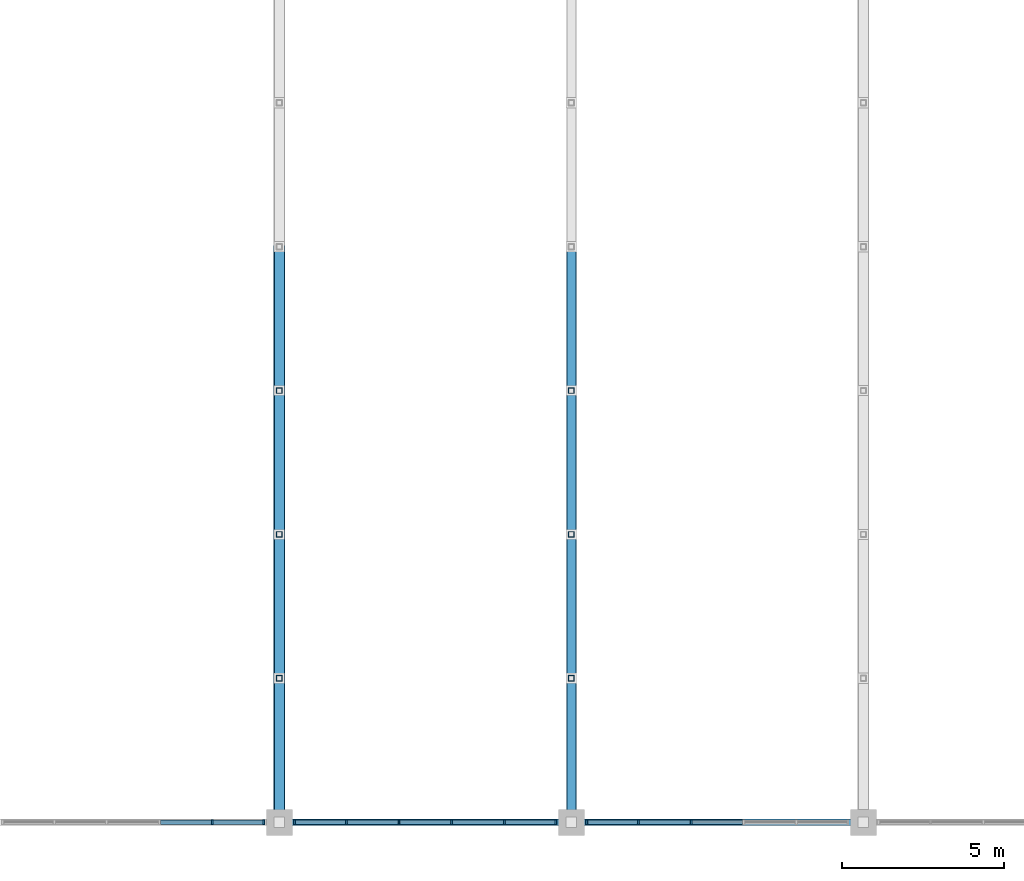
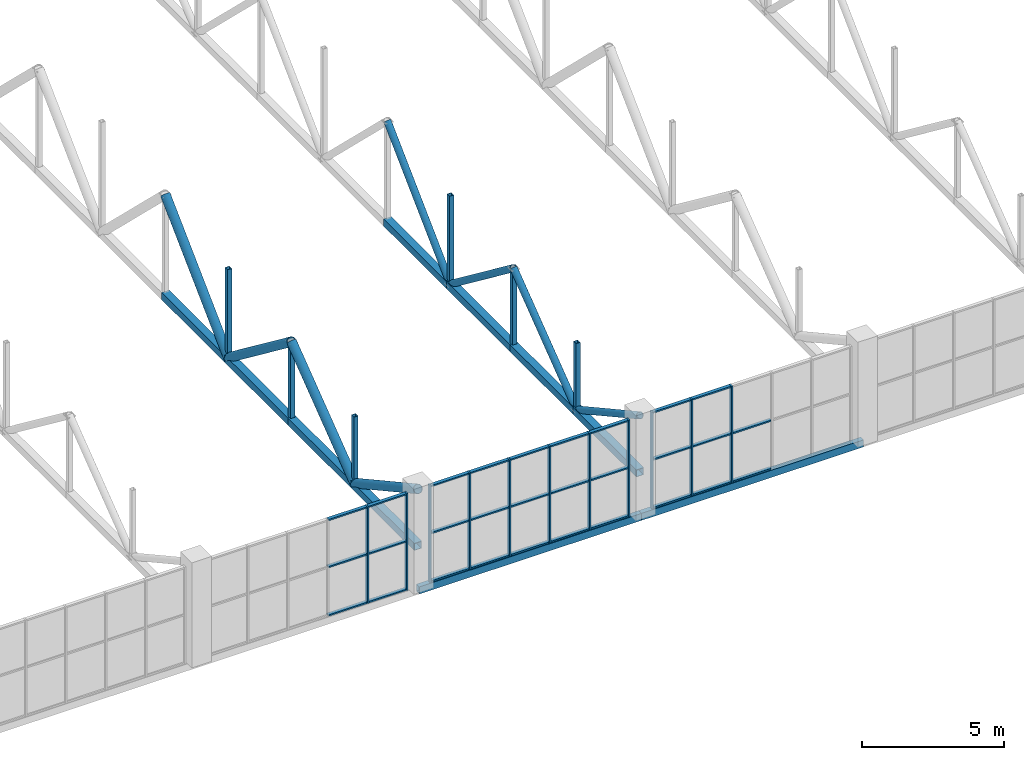
# One storey, part 18 of 103: 62 members, 2 beams, 3 elements without a shape of their own.
"""IFC4 building model written with IfcOpenShell, lengths in metres."""

from ifc_helpers import new_model, si_unit, direction, frame, origin, origin_2d, place, context, subcontext, project, spatial, rectangle, hollow_rectangle, hollow_circle, extrude, material, layer, layer_set, material_profile, profile_set, type_object, element, aggregate, save


model = new_model("IFC4")

# Units and contexts
model_context = context("Model", 3, precision=1e-05, world=origin(), true_north=direction((0.0, 1.0)))
body_context = subcontext(model_context, "Body", "Model", "MODEL_VIEW")
ifc_project = project(units=[si_unit("LENGTHUNIT", "METRE"), si_unit("AREAUNIT", "SQUARE_METRE"), si_unit("VOLUMEUNIT", "CUBIC_METRE"), si_unit("PLANEANGLEUNIT", "RADIAN"), si_unit("MASSUNIT", "GRAM", prefix="KILO")], contexts=[model_context])

# Site, building, storey
site_placement = place(None, origin())
site = spatial("IfcSite", under=ifc_project, at=site_placement, CompositionType="ELEMENT")
building_placement = place(site_placement, origin())
building = spatial("IfcBuilding", under=site, at=building_placement, Name="Cazmaro Siding Exhibition Halls", CompositionType="ELEMENT")
storey_placement = place(building_placement, frame((0.0, 0.0, 16.5)))
storey = spatial("IfcBuildingStorey", under=building, at=storey_placement, Name="L03", CompositionType="ELEMENT", Elevation=16.5)

# Curtain wall, members
ifc_material_1 = material(Name="Anodized Bronze Aluminum and Solar-Control Low-E Glazing", Category="aluminium")
ifc_layer = layer(ifc_material_1, 0.159912109375)
ifc_layer_set = layer_set([ifc_layer], Name="Anodized Bronze Aluminum and Solar-Control Low-E Glazing")
curtain_wall_type = type_object("IfcCurtainWallType", Name="CWS-04", PredefinedType="USERDEFINED", material=ifc_layer_set)
curtain_wall_1_placement = place(storey_placement, origin())
curtain_wall_1 = element("IfcCurtainWall", 1, at=curtain_wall_1_placement, inside=storey, type_object=curtain_wall_type, Name="Clerestory Curtain Wall CWS-04 CW-084", ObjectType="CLERESTORY CURTAIN WALL", PredefinedType="USERDEFINED")
ifc_material_2 = material(Name="Anodized Bronze Extruded Aluminum", Category="aluminium")
ifc_material_profile_1 = material_profile(ifc_material_2, rectangle(XDim=0.159912109375, YDim=0.06005859375, at=origin_2d()), Name="CWM-04")
ifc_profile_set_1 = profile_set([ifc_material_profile_1], Name="Anodized Bronze Extruded Aluminum")
member_type_1 = type_object("IfcMemberType", Name="CWM-04", PredefinedType="MULLION", material=ifc_profile_set_1)
member_1_placement = place(storey_placement, frame((96.93310546875, 9.25, 0.0), z_axis=(0.0, 0.0, 1.0), x_axis=(0.0, 1.0, 0.0)))
member_1 = element("IfcMember", 2, at=member_1_placement, type_object=member_type_1, Name="CWS-04 mullion 5", PredefinedType="MULLION", context=body_context, shape_type="SweptSolid", body=[
    extrude(rectangle(XDim=0.159912109375, YDim=0.06005859375, at=origin_2d()), origin(), (0.0, 0.0, 1.0), 4.14990234375),
])
member_2_placement = place(storey_placement, frame((98.52490234375, 9.25, 0.0), z_axis=(0.0, 0.0, 1.0), x_axis=(0.0, 1.0, 0.0)))
member_2 = element("IfcMember", 3, at=member_2_placement, type_object=member_type_1, Name="CWS-04 mullion 6", PredefinedType="MULLION", context=body_context, shape_type="SweptSolid", body=[
    extrude(rectangle(XDim=0.159912109375, YDim=0.06005859375, at=origin_2d()), origin(), (0.0, 0.0, 1.0), 4.14990234375),
])

curtain_wall_2_placement = place(storey_placement, origin())
curtain_wall_2 = element("IfcCurtainWall", 4, at=curtain_wall_2_placement, inside=storey, type_object=curtain_wall_type, Name="Clerestory Curtain Wall CWS-04 CW-086", ObjectType="CLERESTORY CURTAIN WALL", PredefinedType="USERDEFINED")
member_3_placement = place(storey_placement, frame((99.47509765625, 9.25, 0.0), z_axis=(0.0, 0.0, 1.0), x_axis=(0.0, 1.0, 0.0)))
member_3 = element("IfcMember", 5, at=member_3_placement, type_object=member_type_1, Name="CWS-04 mullion 1", PredefinedType="MULLION", context=body_context, shape_type="SweptSolid", body=[
    extrude(rectangle(XDim=0.159912109375, YDim=0.06005859375, at=origin_2d()), origin(), (0.0, 0.0, 1.0), 4.14990234375),
])
member_4_placement = place(storey_placement, frame((101.06689453125, 9.25, 0.0), z_axis=(0.0, 0.0, 1.0), x_axis=(0.0, 1.0, 0.0)))
member_4 = element("IfcMember", 6, at=member_4_placement, type_object=member_type_1, Name="CWS-04 mullion 2", PredefinedType="MULLION", context=body_context, shape_type="SweptSolid", body=[
    extrude(rectangle(XDim=0.159912109375, YDim=0.06005859375, at=origin_2d()), origin(), (0.0, 0.0, 1.0), 4.14990234375),
])
member_5_placement = place(storey_placement, frame((102.68896484375, 9.25, 0.0), z_axis=(0.0, 0.0, 1.0), x_axis=(0.0, 1.0, 0.0)))
member_5 = element("IfcMember", 7, at=member_5_placement, type_object=member_type_1, Name="CWS-04 mullion 3", PredefinedType="MULLION", context=body_context, shape_type="SweptSolid", body=[
    extrude(rectangle(XDim=0.159912109375, YDim=0.06005859375, at=origin_2d()), origin(), (0.0, 0.0, 1.0), 4.14990234375),
])
member_6_placement = place(storey_placement, frame((104.31103515625, 9.25, 0.0), z_axis=(0.0, 0.0, 1.0), x_axis=(0.0, 1.0, 0.0)))
member_6 = element("IfcMember", 8, at=member_6_placement, type_object=member_type_1, Name="CWS-04 mullion 4", PredefinedType="MULLION", context=body_context, shape_type="SweptSolid", body=[
    extrude(rectangle(XDim=0.159912109375, YDim=0.06005859375, at=origin_2d()), origin(), (0.0, 0.0, 1.0), 4.14990234375),
])
member_7_placement = place(storey_placement, frame((105.93310546875, 9.25, 0.0), z_axis=(0.0, 0.0, 1.0), x_axis=(0.0, 1.0, 0.0)))
member_7 = element("IfcMember", 9, at=member_7_placement, type_object=member_type_1, Name="CWS-04 mullion 5", PredefinedType="MULLION", context=body_context, shape_type="SweptSolid", body=[
    extrude(rectangle(XDim=0.159912109375, YDim=0.06005859375, at=origin_2d()), origin(), (0.0, 0.0, 1.0), 4.14990234375),
])
member_8_placement = place(storey_placement, frame((107.52490234375, 9.25, 0.0), z_axis=(0.0, 0.0, 1.0), x_axis=(0.0, 1.0, 0.0)))
member_8 = element("IfcMember", 10, at=member_8_placement, type_object=member_type_1, Name="CWS-04 mullion 6", PredefinedType="MULLION", context=body_context, shape_type="SweptSolid", body=[
    extrude(rectangle(XDim=0.159912109375, YDim=0.06005859375, at=origin_2d()), origin(), (0.0, 0.0, 1.0), 4.14990234375),
])

curtain_wall_3_placement = place(storey_placement, origin())
curtain_wall_3 = element("IfcCurtainWall", 11, at=curtain_wall_3_placement, inside=storey, type_object=curtain_wall_type, Name="Clerestory Curtain Wall CWS-04 CW-088", ObjectType="CLERESTORY CURTAIN WALL", PredefinedType="USERDEFINED")
member_9_placement = place(storey_placement, frame((108.47509765625, 9.25, 0.0), z_axis=(0.0, 0.0, 1.0), x_axis=(0.0, 1.0, 0.0)))
member_9 = element("IfcMember", 12, at=member_9_placement, type_object=member_type_1, Name="CWS-04 mullion 1", PredefinedType="MULLION", context=body_context, shape_type="SweptSolid", body=[
    extrude(rectangle(XDim=0.159912109375, YDim=0.06005859375, at=origin_2d()), origin(), (0.0, 0.0, 1.0), 4.14990234375),
])
member_10_placement = place(storey_placement, frame((110.06689453125, 9.25, 0.0), z_axis=(0.0, 0.0, 1.0), x_axis=(0.0, 1.0, 0.0)))
member_10 = element("IfcMember", 13, at=member_10_placement, type_object=member_type_1, Name="CWS-04 mullion 2", PredefinedType="MULLION", context=body_context, shape_type="SweptSolid", body=[
    extrude(rectangle(XDim=0.159912109375, YDim=0.06005859375, at=origin_2d()), origin(), (0.0, 0.0, 1.0), 4.14990234375),
])
member_11_placement = place(storey_placement, frame((111.68896484375, 9.25, 0.0), z_axis=(0.0, 0.0, 1.0), x_axis=(0.0, 1.0, 0.0)))
member_11 = element("IfcMember", 14, at=member_11_placement, type_object=member_type_1, Name="CWS-04 mullion 3", PredefinedType="MULLION", context=body_context, shape_type="SweptSolid", body=[
    extrude(rectangle(XDim=0.159912109375, YDim=0.06005859375, at=origin_2d()), origin(), (0.0, 0.0, 1.0), 4.14990234375),
])

# Member
ifc_material_3 = material(Name="Anodized Bronze Extruded Aluminum", Category="aluminium")
ifc_material_profile_2 = material_profile(ifc_material_3, rectangle(XDim=0.139892578125, YDim=0.06005859375, at=origin_2d()), Name="CWT-04")
ifc_profile_set_2 = profile_set([ifc_material_profile_2], Name="Anodized Bronze Extruded Aluminum")
member_type_2 = type_object("IfcMemberType", Name="CWT-04", PredefinedType="MULLION", material=ifc_profile_set_2)
member_12_placement = place(storey_placement, frame((95.341064453125, 9.25, 0.030029296875), z_axis=(1.0, 0.0, 0.0), x_axis=(0.0, 1.0, 0.0)))
member_12 = element("IfcMember", 15, at=member_12_placement, type_object=member_type_2, Name="CWS-04 transom 4.1", ObjectType="TRANSOM", PredefinedType="USERDEFINED", context=body_context, shape_type="SweptSolid", body=[
    extrude(rectangle(XDim=0.139892578125, YDim=0.06005859375, at=origin_2d()), origin(), (0.0, 0.0, 1.0), 1.56201171875),
])

member_13_placement = place(storey_placement, frame((95.341064453125, 9.25, 2.10009765625), z_axis=(1.0, 0.0, 0.0), x_axis=(0.0, 1.0, 0.0)))
member_13 = element("IfcMember", 16, at=member_13_placement, type_object=member_type_2, Name="CWS-04 transom 4.2", ObjectType="TRANSOM", PredefinedType="USERDEFINED", context=body_context, shape_type="SweptSolid", body=[
    extrude(rectangle(XDim=0.139892578125, YDim=0.06005859375, at=origin_2d()), origin(), (0.0, 0.0, 1.0), 1.56201171875),
])

member_14_placement = place(storey_placement, frame((95.341064453125, 9.25, 4.1201171875), z_axis=(1.0, 0.0, 0.0), x_axis=(0.0, 1.0, 0.0)))
member_14 = element("IfcMember", 17, at=member_14_placement, type_object=member_type_2, Name="CWS-04 transom 4.3", ObjectType="TRANSOM", PredefinedType="USERDEFINED", context=body_context, shape_type="SweptSolid", body=[
    extrude(rectangle(XDim=0.139892578125, YDim=0.06005859375, at=origin_2d()), origin(), (0.0, 0.0, 1.0), 1.56201171875),
])

member_15_placement = place(storey_placement, frame((96.962890625, 9.25, 0.030029296875), z_axis=(1.0, 0.0, 0.0), x_axis=(0.0, 1.0, 0.0)))
member_15 = element("IfcMember", 18, at=member_15_placement, type_object=member_type_2, Name="CWS-04 transom 5.1", ObjectType="TRANSOM", PredefinedType="USERDEFINED", context=body_context, shape_type="SweptSolid", body=[
    extrude(rectangle(XDim=0.139892578125, YDim=0.06005859375, at=origin_2d()), origin(), (0.0, 0.0, 1.0), 1.5322265625),
])

member_16_placement = place(storey_placement, frame((96.962890625, 9.25, 2.10009765625), z_axis=(1.0, 0.0, 0.0), x_axis=(0.0, 1.0, 0.0)))
member_16 = element("IfcMember", 19, at=member_16_placement, type_object=member_type_2, Name="CWS-04 transom 5.2", ObjectType="TRANSOM", PredefinedType="USERDEFINED", context=body_context, shape_type="SweptSolid", body=[
    extrude(rectangle(XDim=0.139892578125, YDim=0.06005859375, at=origin_2d()), origin(), (0.0, 0.0, 1.0), 1.5322265625),
])

member_17_placement = place(storey_placement, frame((96.962890625, 9.25, 4.1201171875), z_axis=(1.0, 0.0, 0.0), x_axis=(0.0, 1.0, 0.0)))
member_17 = element("IfcMember", 20, at=member_17_placement, type_object=member_type_2, Name="CWS-04 transom 5.3", ObjectType="TRANSOM", PredefinedType="USERDEFINED", context=body_context, shape_type="SweptSolid", body=[
    extrude(rectangle(XDim=0.139892578125, YDim=0.06005859375, at=origin_2d()), origin(), (0.0, 0.0, 1.0), 1.5322265625),
])

aggregate(curtain_wall_1, [member_1, member_2, member_12, member_13, member_14, member_15, member_16, member_17])

member_18_placement = place(storey_placement, frame((99.5048828125, 9.25, 0.030029296875), z_axis=(1.0, 0.0, 0.0), x_axis=(0.0, 1.0, 0.0)))
member_18 = element("IfcMember", 21, at=member_18_placement, type_object=member_type_2, Name="CWS-04 transom 1.1", ObjectType="TRANSOM", PredefinedType="USERDEFINED", context=body_context, shape_type="SweptSolid", body=[
    extrude(rectangle(XDim=0.139892578125, YDim=0.06005859375, at=origin_2d()), origin(), (0.0, 0.0, 1.0), 1.5322265625),
])

member_19_placement = place(storey_placement, frame((99.5048828125, 9.25, 2.10009765625), z_axis=(1.0, 0.0, 0.0), x_axis=(0.0, 1.0, 0.0)))
member_19 = element("IfcMember", 22, at=member_19_placement, type_object=member_type_2, Name="CWS-04 transom 1.2", ObjectType="TRANSOM", PredefinedType="USERDEFINED", context=body_context, shape_type="SweptSolid", body=[
    extrude(rectangle(XDim=0.139892578125, YDim=0.06005859375, at=origin_2d()), origin(), (0.0, 0.0, 1.0), 1.5322265625),
])

member_20_placement = place(storey_placement, frame((99.5048828125, 9.25, 4.1201171875), z_axis=(1.0, 0.0, 0.0), x_axis=(0.0, 1.0, 0.0)))
member_20 = element("IfcMember", 23, at=member_20_placement, type_object=member_type_2, Name="CWS-04 transom 1.3", ObjectType="TRANSOM", PredefinedType="USERDEFINED", context=body_context, shape_type="SweptSolid", body=[
    extrude(rectangle(XDim=0.139892578125, YDim=0.06005859375, at=origin_2d()), origin(), (0.0, 0.0, 1.0), 1.5322265625),
])

member_21_placement = place(storey_placement, frame((101.096923828125, 9.25, 0.030029296875), z_axis=(1.0, 0.0, 0.0), x_axis=(0.0, 1.0, 0.0)))
member_21 = element("IfcMember", 24, at=member_21_placement, type_object=member_type_2, Name="CWS-04 transom 2.1", ObjectType="TRANSOM", PredefinedType="USERDEFINED", context=body_context, shape_type="SweptSolid", body=[
    extrude(rectangle(XDim=0.139892578125, YDim=0.06005859375, at=origin_2d()), origin(), (0.0, 0.0, 1.0), 1.56201171875),
])

member_22_placement = place(storey_placement, frame((101.096923828125, 9.25, 2.10009765625), z_axis=(1.0, 0.0, 0.0), x_axis=(0.0, 1.0, 0.0)))
member_22 = element("IfcMember", 25, at=member_22_placement, type_object=member_type_2, Name="CWS-04 transom 2.2", ObjectType="TRANSOM", PredefinedType="USERDEFINED", context=body_context, shape_type="SweptSolid", body=[
    extrude(rectangle(XDim=0.139892578125, YDim=0.06005859375, at=origin_2d()), origin(), (0.0, 0.0, 1.0), 1.56201171875),
])

member_23_placement = place(storey_placement, frame((101.096923828125, 9.25, 4.1201171875), z_axis=(1.0, 0.0, 0.0), x_axis=(0.0, 1.0, 0.0)))
member_23 = element("IfcMember", 26, at=member_23_placement, type_object=member_type_2, Name="CWS-04 transom 2.3", ObjectType="TRANSOM", PredefinedType="USERDEFINED", context=body_context, shape_type="SweptSolid", body=[
    extrude(rectangle(XDim=0.139892578125, YDim=0.06005859375, at=origin_2d()), origin(), (0.0, 0.0, 1.0), 1.56201171875),
])

member_24_placement = place(storey_placement, frame((102.718994140625, 9.25, 0.030029296875), z_axis=(1.0, 0.0, 0.0), x_axis=(0.0, 1.0, 0.0)))
member_24 = element("IfcMember", 27, at=member_24_placement, type_object=member_type_2, Name="CWS-04 transom 3.1", ObjectType="TRANSOM", PredefinedType="USERDEFINED", context=body_context, shape_type="SweptSolid", body=[
    extrude(rectangle(XDim=0.139892578125, YDim=0.06005859375, at=origin_2d()), origin(), (0.0, 0.0, 1.0), 1.56201171875),
])

member_25_placement = place(storey_placement, frame((102.718994140625, 9.25, 2.10009765625), z_axis=(1.0, 0.0, 0.0), x_axis=(0.0, 1.0, 0.0)))
member_25 = element("IfcMember", 28, at=member_25_placement, type_object=member_type_2, Name="CWS-04 transom 3.2", ObjectType="TRANSOM", PredefinedType="USERDEFINED", context=body_context, shape_type="SweptSolid", body=[
    extrude(rectangle(XDim=0.139892578125, YDim=0.06005859375, at=origin_2d()), origin(), (0.0, 0.0, 1.0), 1.56201171875),
])

member_26_placement = place(storey_placement, frame((102.718994140625, 9.25, 4.1201171875), z_axis=(1.0, 0.0, 0.0), x_axis=(0.0, 1.0, 0.0)))
member_26 = element("IfcMember", 29, at=member_26_placement, type_object=member_type_2, Name="CWS-04 transom 3.3", ObjectType="TRANSOM", PredefinedType="USERDEFINED", context=body_context, shape_type="SweptSolid", body=[
    extrude(rectangle(XDim=0.139892578125, YDim=0.06005859375, at=origin_2d()), origin(), (0.0, 0.0, 1.0), 1.56201171875),
])

member_27_placement = place(storey_placement, frame((104.341064453125, 9.25, 0.030029296875), z_axis=(1.0, 0.0, 0.0), x_axis=(0.0, 1.0, 0.0)))
member_27 = element("IfcMember", 30, at=member_27_placement, type_object=member_type_2, Name="CWS-04 transom 4.1", ObjectType="TRANSOM", PredefinedType="USERDEFINED", context=body_context, shape_type="SweptSolid", body=[
    extrude(rectangle(XDim=0.139892578125, YDim=0.06005859375, at=origin_2d()), origin(), (0.0, 0.0, 1.0), 1.56201171875),
])

member_28_placement = place(storey_placement, frame((104.341064453125, 9.25, 2.10009765625), z_axis=(1.0, 0.0, 0.0), x_axis=(0.0, 1.0, 0.0)))
member_28 = element("IfcMember", 31, at=member_28_placement, type_object=member_type_2, Name="CWS-04 transom 4.2", ObjectType="TRANSOM", PredefinedType="USERDEFINED", context=body_context, shape_type="SweptSolid", body=[
    extrude(rectangle(XDim=0.139892578125, YDim=0.06005859375, at=origin_2d()), origin(), (0.0, 0.0, 1.0), 1.56201171875),
])

member_29_placement = place(storey_placement, frame((104.341064453125, 9.25, 4.1201171875), z_axis=(1.0, 0.0, 0.0), x_axis=(0.0, 1.0, 0.0)))
member_29 = element("IfcMember", 32, at=member_29_placement, type_object=member_type_2, Name="CWS-04 transom 4.3", ObjectType="TRANSOM", PredefinedType="USERDEFINED", context=body_context, shape_type="SweptSolid", body=[
    extrude(rectangle(XDim=0.139892578125, YDim=0.06005859375, at=origin_2d()), origin(), (0.0, 0.0, 1.0), 1.56201171875),
])

member_30_placement = place(storey_placement, frame((105.962890625, 9.25, 0.030029296875), z_axis=(1.0, 0.0, 0.0), x_axis=(0.0, 1.0, 0.0)))
member_30 = element("IfcMember", 33, at=member_30_placement, type_object=member_type_2, Name="CWS-04 transom 5.1", ObjectType="TRANSOM", PredefinedType="USERDEFINED", context=body_context, shape_type="SweptSolid", body=[
    extrude(rectangle(XDim=0.139892578125, YDim=0.06005859375, at=origin_2d()), origin(), (0.0, 0.0, 1.0), 1.5322265625),
])

member_31_placement = place(storey_placement, frame((105.962890625, 9.25, 2.10009765625), z_axis=(1.0, 0.0, 0.0), x_axis=(0.0, 1.0, 0.0)))
member_31 = element("IfcMember", 34, at=member_31_placement, type_object=member_type_2, Name="CWS-04 transom 5.2", ObjectType="TRANSOM", PredefinedType="USERDEFINED", context=body_context, shape_type="SweptSolid", body=[
    extrude(rectangle(XDim=0.139892578125, YDim=0.06005859375, at=origin_2d()), origin(), (0.0, 0.0, 1.0), 1.5322265625),
])

member_32_placement = place(storey_placement, frame((105.962890625, 9.25, 4.1201171875), z_axis=(1.0, 0.0, 0.0), x_axis=(0.0, 1.0, 0.0)))
member_32 = element("IfcMember", 35, at=member_32_placement, type_object=member_type_2, Name="CWS-04 transom 5.3", ObjectType="TRANSOM", PredefinedType="USERDEFINED", context=body_context, shape_type="SweptSolid", body=[
    extrude(rectangle(XDim=0.139892578125, YDim=0.06005859375, at=origin_2d()), origin(), (0.0, 0.0, 1.0), 1.5322265625),
])

aggregate(curtain_wall_2, [member_3, member_4, member_5, member_6, member_7, member_8, member_18, member_19, member_20, member_21, member_22, member_23, member_24, member_25, member_26, member_27, member_28, member_29, member_30, member_31, member_32])

member_33_placement = place(storey_placement, frame((108.5048828125, 9.25, 0.030029296875), z_axis=(1.0, 0.0, 0.0), x_axis=(0.0, 1.0, 0.0)))
member_33 = element("IfcMember", 36, at=member_33_placement, type_object=member_type_2, Name="CWS-04 transom 1.1", ObjectType="TRANSOM", PredefinedType="USERDEFINED", context=body_context, shape_type="SweptSolid", body=[
    extrude(rectangle(XDim=0.139892578125, YDim=0.06005859375, at=origin_2d()), origin(), (0.0, 0.0, 1.0), 1.5322265625),
])

member_34_placement = place(storey_placement, frame((108.5048828125, 9.25, 2.10009765625), z_axis=(1.0, 0.0, 0.0), x_axis=(0.0, 1.0, 0.0)))
member_34 = element("IfcMember", 37, at=member_34_placement, type_object=member_type_2, Name="CWS-04 transom 1.2", ObjectType="TRANSOM", PredefinedType="USERDEFINED", context=body_context, shape_type="SweptSolid", body=[
    extrude(rectangle(XDim=0.139892578125, YDim=0.06005859375, at=origin_2d()), origin(), (0.0, 0.0, 1.0), 1.5322265625),
])

member_35_placement = place(storey_placement, frame((108.5048828125, 9.25, 4.1201171875), z_axis=(1.0, 0.0, 0.0), x_axis=(0.0, 1.0, 0.0)))
member_35 = element("IfcMember", 38, at=member_35_placement, type_object=member_type_2, Name="CWS-04 transom 1.3", ObjectType="TRANSOM", PredefinedType="USERDEFINED", context=body_context, shape_type="SweptSolid", body=[
    extrude(rectangle(XDim=0.139892578125, YDim=0.06005859375, at=origin_2d()), origin(), (0.0, 0.0, 1.0), 1.5322265625),
])

member_36_placement = place(storey_placement, frame((110.096923828125, 9.25, 0.030029296875), z_axis=(1.0, 0.0, 0.0), x_axis=(0.0, 1.0, 0.0)))
member_36 = element("IfcMember", 39, at=member_36_placement, type_object=member_type_2, Name="CWS-04 transom 2.1", ObjectType="TRANSOM", PredefinedType="USERDEFINED", context=body_context, shape_type="SweptSolid", body=[
    extrude(rectangle(XDim=0.139892578125, YDim=0.06005859375, at=origin_2d()), origin(), (0.0, 0.0, 1.0), 1.56201171875),
])

member_37_placement = place(storey_placement, frame((110.096923828125, 9.25, 2.10009765625), z_axis=(1.0, 0.0, 0.0), x_axis=(0.0, 1.0, 0.0)))
member_37 = element("IfcMember", 40, at=member_37_placement, type_object=member_type_2, Name="CWS-04 transom 2.2", ObjectType="TRANSOM", PredefinedType="USERDEFINED", context=body_context, shape_type="SweptSolid", body=[
    extrude(rectangle(XDim=0.139892578125, YDim=0.06005859375, at=origin_2d()), origin(), (0.0, 0.0, 1.0), 1.56201171875),
])

member_38_placement = place(storey_placement, frame((110.096923828125, 9.25, 4.1201171875), z_axis=(1.0, 0.0, 0.0), x_axis=(0.0, 1.0, 0.0)))
member_38 = element("IfcMember", 41, at=member_38_placement, type_object=member_type_2, Name="CWS-04 transom 2.3", ObjectType="TRANSOM", PredefinedType="USERDEFINED", context=body_context, shape_type="SweptSolid", body=[
    extrude(rectangle(XDim=0.139892578125, YDim=0.06005859375, at=origin_2d()), origin(), (0.0, 0.0, 1.0), 1.56201171875),
])

member_39_placement = place(storey_placement, frame((111.718994140625, 9.25, 0.030029296875), z_axis=(1.0, 0.0, 0.0), x_axis=(0.0, 1.0, 0.0)))
member_39 = element("IfcMember", 42, at=member_39_placement, type_object=member_type_2, Name="CWS-04 transom 3.1", ObjectType="TRANSOM", PredefinedType="USERDEFINED", context=body_context, shape_type="SweptSolid", body=[
    extrude(rectangle(XDim=0.139892578125, YDim=0.06005859375, at=origin_2d()), origin(), (0.0, 0.0, 1.0), 1.56201171875),
])

member_40_placement = place(storey_placement, frame((111.718994140625, 9.25, 2.10009765625), z_axis=(1.0, 0.0, 0.0), x_axis=(0.0, 1.0, 0.0)))
member_40 = element("IfcMember", 43, at=member_40_placement, type_object=member_type_2, Name="CWS-04 transom 3.2", ObjectType="TRANSOM", PredefinedType="USERDEFINED", context=body_context, shape_type="SweptSolid", body=[
    extrude(rectangle(XDim=0.139892578125, YDim=0.06005859375, at=origin_2d()), origin(), (0.0, 0.0, 1.0), 1.56201171875),
])

aggregate(curtain_wall_3, [member_9, member_10, member_11, member_33, member_34, member_35, member_36, member_37, member_38, member_39, member_40])

# Beams
ifc_material_4 = material(Name="Steel ASTM A500 Grade C", Category="steel")
ifc_material_profile_3 = material_profile(ifc_material_4, hollow_rectangle(XDim=0.202880859375, YDim=0.304931640625, WallThickness=0.011962890625, at=origin_2d()), Name="HSS12X8X1/2")
ifc_profile_set_3 = profile_set([ifc_material_profile_3], Name="Steel ASTM A500 Grade C")
beam_type = type_object("IfcBeamType", Name="SP-01", PredefinedType="SPANDREL", material=ifc_profile_set_3)
for number, where, z_axis, x_axis, name in (
    (44, (99.0, 9.25, -0.152099609375), (1.0, 0.0, 0.0), (0.0, 1.0, 0.0), "Beam SP-01 BM-1495"),
    (45, (108.0, 9.25, -0.152099609375), (1.0, 0.0, 0.0), (0.0, 1.0, 0.0), "Beam SP-01 BM-1499"),
):
    element("IfcBeam", number, at=place(storey_placement, frame(where, z_axis=z_axis, x_axis=x_axis)), inside=storey, type_object=beam_type, Name=name, PredefinedType="SPANDREL", context=body_context, shape_type="SweptSolid", body=[
        extrude(hollow_rectangle(XDim=0.202880859375, YDim=0.304931640625, WallThickness=0.011962890625, at=origin_2d()), origin(), (0.0, 0.0, 1.0), 9.0),
    ])

# Members
ifc_material_5 = material(Name="Steel ASTM A500 Grade C", Category="steel")
ifc_material_profile_4 = material_profile(ifc_material_5, hollow_rectangle(XDim=0.304931640625, YDim=0.304931640625, WallThickness=0.014892578125, at=origin_2d()), Name="HSS12X12X5/8")
ifc_profile_set_4 = profile_set([ifc_material_profile_4], Name="Steel ASTM A500 Grade C")
member_type_3 = type_object("IfcMemberType", Name="TC-02", PredefinedType="CHORD", material=ifc_profile_set_4)
for number, where, z_axis, x_axis, name in (
    (46, (99.0, 9.25, 1.699951171875), (0.0, 1.0, 0.0), (-1.0, 0.0, 0.0), "Warren roof truss bottom chord TC-02 MEM-2420"),
    (47, (99.0, 13.68505859375, 1.699951171875), (0.0, 1.0, 0.0), (-1.0, 0.0, 0.0), "Warren roof truss bottom chord TC-02 MEM-2423"),
):
    element("IfcMember", number, at=place(storey_placement, frame(where, z_axis=z_axis, x_axis=x_axis)), inside=storey, type_object=member_type_3, Name=name, PredefinedType="CHORD", context=body_context, shape_type="SweptSolid", body=[
        extrude(hollow_rectangle(XDim=0.304931640625, YDim=0.304931640625, WallThickness=0.014892578125, at=origin_2d()), origin(), (0.0, 0.0, 1.0), 4.43505859375),
    ])
member_41_placement = place(storey_placement, frame((99.0, 18.1201171875, 1.699951171875), z_axis=(0.0, 1.0, 0.0), x_axis=(-1.0, 0.0, 0.0)))
element("IfcMember", 48, at=member_41_placement, inside=storey, type_object=member_type_3, Name="Warren roof truss bottom chord TC-02 MEM-2426", PredefinedType="CHORD", context=body_context, shape_type="SweptSolid", body=[
    extrude(hollow_rectangle(XDim=0.304931640625, YDim=0.304931640625, WallThickness=0.014892578125, at=origin_2d()), origin(), (0.0, 0.0, 1.0), 4.434814453125),
])
for number, where, z_axis, x_axis, name in (
    (49, (99.0, 22.554931640625, 1.699951171875), (0.0, 1.0, 0.0), (-1.0, 0.0, 0.0), "Warren roof truss bottom chord TC-02 MEM-2429"),
    (50, (108.0, 9.25, 1.699951171875), (0.0, 1.0, 0.0), (-1.0, 0.0, 0.0), "Warren roof truss bottom chord TC-02 MEM-2459"),
    (51, (108.0, 13.68505859375, 1.699951171875), (0.0, 1.0, 0.0), (-1.0, 0.0, 0.0), "Warren roof truss bottom chord TC-02 MEM-2462"),
):
    element("IfcMember", number, at=place(storey_placement, frame(where, z_axis=z_axis, x_axis=x_axis)), inside=storey, type_object=member_type_3, Name=name, PredefinedType="CHORD", context=body_context, shape_type="SweptSolid", body=[
        extrude(hollow_rectangle(XDim=0.304931640625, YDim=0.304931640625, WallThickness=0.014892578125, at=origin_2d()), origin(), (0.0, 0.0, 1.0), 4.43505859375),
    ])
member_42_placement = place(storey_placement, frame((108.0, 18.1201171875, 1.699951171875), z_axis=(0.0, 1.0, 0.0), x_axis=(-1.0, 0.0, 0.0)))
element("IfcMember", 52, at=member_42_placement, inside=storey, type_object=member_type_3, Name="Warren roof truss bottom chord TC-02 MEM-2465", PredefinedType="CHORD", context=body_context, shape_type="SweptSolid", body=[
    extrude(hollow_rectangle(XDim=0.304931640625, YDim=0.304931640625, WallThickness=0.014892578125, at=origin_2d()), origin(), (0.0, 0.0, 1.0), 4.434814453125),
])
member_43_placement = place(storey_placement, frame((108.0, 22.554931640625, 1.699951171875), z_axis=(0.0, 1.0, 0.0), x_axis=(-1.0, 0.0, 0.0)))
element("IfcMember", 53, at=member_43_placement, inside=storey, type_object=member_type_3, Name="Warren roof truss bottom chord TC-02 MEM-2468", PredefinedType="CHORD", context=body_context, shape_type="SweptSolid", body=[
    extrude(hollow_rectangle(XDim=0.304931640625, YDim=0.304931640625, WallThickness=0.014892578125, at=origin_2d()), origin(), (0.0, 0.0, 1.0), 4.43505859375),
])
ifc_material_6 = material(Name="Steel ASTM A500 Grade C", Category="steel")
ifc_material_profile_5 = material_profile(ifc_material_6, hollow_rectangle(XDim=0.177978515625, YDim=0.177978515625, WallThickness=0.011962890625, at=origin_2d()), Name="HSS7X7X1/2")
ifc_profile_set_5 = profile_set([ifc_material_profile_5], Name="Steel ASTM A500 Grade C")
member_type_4 = type_object("IfcMemberType", Name="TP-02", PredefinedType="POST", material=ifc_profile_set_5)
member_44_placement = place(storey_placement, frame((99.0, 13.68505859375, 1.699951171875), z_axis=(0.0, 0.0, 1.0), x_axis=(1.0, 0.0, 0.0)))
element("IfcMember", 54, at=member_44_placement, inside=storey, type_object=member_type_4, Name="Warren roof truss vertical TP-02 MEM-2449", PredefinedType="POST", context=body_context, shape_type="SweptSolid", body=[
    extrude(hollow_rectangle(XDim=0.177978515625, YDim=0.177978515625, WallThickness=0.011962890625, at=origin_2d()), origin(), (0.0, 0.0, 1.0), 2.906005859375),
])
member_45_placement = place(storey_placement, frame((99.0, 18.1201171875, 1.699951171875), z_axis=(0.0, 0.0, 1.0), x_axis=(1.0, 0.0, 0.0)))
element("IfcMember", 55, at=member_45_placement, inside=storey, type_object=member_type_4, Name="Warren roof truss vertical TP-02 MEM-2450", PredefinedType="POST", context=body_context, shape_type="SweptSolid", body=[
    extrude(hollow_rectangle(XDim=0.177978515625, YDim=0.177978515625, WallThickness=0.011962890625, at=origin_2d()), origin(), (0.0, 0.0, 1.0), 3.373046875),
])
member_46_placement = place(storey_placement, frame((99.0, 22.554931640625, 1.699951171875), z_axis=(0.0, 0.0, 1.0), x_axis=(1.0, 0.0, 0.0)))
element("IfcMember", 56, at=member_46_placement, inside=storey, type_object=member_type_4, Name="Warren roof truss vertical TP-02 MEM-2451", PredefinedType="POST", context=body_context, shape_type="SweptSolid", body=[
    extrude(hollow_rectangle(XDim=0.177978515625, YDim=0.177978515625, WallThickness=0.011962890625, at=origin_2d()), origin(), (0.0, 0.0, 1.0), 3.839111328125),
])
member_47_placement = place(storey_placement, frame((108.0, 13.68505859375, 1.699951171875), z_axis=(0.0, 0.0, 1.0), x_axis=(1.0, 0.0, 0.0)))
element("IfcMember", 57, at=member_47_placement, inside=storey, type_object=member_type_4, Name="Warren roof truss vertical TP-02 MEM-2488", PredefinedType="POST", context=body_context, shape_type="SweptSolid", body=[
    extrude(hollow_rectangle(XDim=0.177978515625, YDim=0.177978515625, WallThickness=0.011962890625, at=origin_2d()), origin(), (0.0, 0.0, 1.0), 2.906005859375),
])
member_48_placement = place(storey_placement, frame((108.0, 18.1201171875, 1.699951171875), z_axis=(0.0, 0.0, 1.0), x_axis=(1.0, 0.0, 0.0)))
element("IfcMember", 58, at=member_48_placement, inside=storey, type_object=member_type_4, Name="Warren roof truss vertical TP-02 MEM-2489", PredefinedType="POST", context=body_context, shape_type="SweptSolid", body=[
    extrude(hollow_rectangle(XDim=0.177978515625, YDim=0.177978515625, WallThickness=0.011962890625, at=origin_2d()), origin(), (0.0, 0.0, 1.0), 3.373046875),
])
member_49_placement = place(storey_placement, frame((108.0, 22.554931640625, 1.699951171875), z_axis=(0.0, 0.0, 1.0), x_axis=(1.0, 0.0, 0.0)))
element("IfcMember", 59, at=member_49_placement, inside=storey, type_object=member_type_4, Name="Warren roof truss vertical TP-02 MEM-2490", PredefinedType="POST", context=body_context, shape_type="SweptSolid", body=[
    extrude(hollow_rectangle(XDim=0.177978515625, YDim=0.177978515625, WallThickness=0.011962890625, at=origin_2d()), origin(), (0.0, 0.0, 1.0), 3.839111328125),
])
ifc_material_7 = material(Name="Steel ASTM A500 Grade C", Category="steel")
ifc_material_profile_6 = material_profile(ifc_material_7, hollow_circle(Radius=0.136474609375, WallThickness=0.012939453125, at=origin_2d()), Name="PIPE10XS")
ifc_profile_set_6 = profile_set([ifc_material_profile_6], Name="Steel ASTM A500 Grade C")
member_type_5 = type_object("IfcMemberType", Name="WB-02", PredefinedType="BRACE", material=ifc_profile_set_6)
member_50_placement = place(storey_placement, frame((108.0, 9.25, 4.139892578125), z_axis=(0.0, 0.876160914294, -0.482018726051), x_axis=(-1.0, 0.0, 0.0)))
element("IfcMember", 60, at=member_50_placement, inside=storey, type_object=member_type_5, Name="Warren roof truss diagonal WB-02 MEM-2460", PredefinedType="BRACE", context=body_context, shape_type="SweptSolid", body=[
    extrude(hollow_circle(Radius=0.136474609375, WallThickness=0.012939453125, at=origin_2d()), origin(), (0.0, 0.0, 1.0), 5.06201171875),
])
member_51_placement = place(storey_placement, frame((108.0, 13.68505859375, 1.699951171875), z_axis=(0.0, 0.795954445209, 0.605356524002), x_axis=(-1.0, 0.0, 0.0)))
element("IfcMember", 61, at=member_51_placement, inside=storey, type_object=member_type_5, Name="Warren roof truss diagonal WB-02 MEM-2463", PredefinedType="BRACE", context=body_context, shape_type="SweptSolid", body=[
    extrude(hollow_circle(Radius=0.136474609375, WallThickness=0.012939453125, at=origin_2d()), origin(), (0.0, 0.0, 1.0), 5.572021484375),
])
member_52_placement = place(storey_placement, frame((108.0, 18.1201171875, 5.072998046875), z_axis=(0.0, 0.795938387852, -0.605377636475), x_axis=(-1.0, 0.0, 0.0)))
element("IfcMember", 62, at=member_52_placement, inside=storey, type_object=member_type_5, Name="Warren roof truss diagonal WB-02 MEM-2466", PredefinedType="BRACE", context=body_context, shape_type="SweptSolid", body=[
    extrude(hollow_circle(Radius=0.136474609375, WallThickness=0.012939453125, at=origin_2d()), origin(), (0.0, 0.0, 1.0), 5.57177734375),
])
member_53_placement = place(storey_placement, frame((108.0, 22.554931640625, 1.699951171875), z_axis=(0.0, 0.717555143773, 0.696501698236), x_axis=(-1.0, 0.0, 0.0)))
element("IfcMember", 63, at=member_53_placement, inside=storey, type_object=member_type_5, Name="Warren roof truss diagonal WB-02 MEM-2469", PredefinedType="BRACE", context=body_context, shape_type="SweptSolid", body=[
    extrude(hollow_circle(Radius=0.136474609375, WallThickness=0.012939453125, at=origin_2d()), origin(), (0.0, 0.0, 1.0), 6.180908203125),
])
ifc_material_8 = material(Name="Steel ASTM A500 Grade C", Category="steel")
ifc_material_profile_7 = material_profile(ifc_material_8, hollow_circle(Radius=0.177978515625, WallThickness=0.012939453125, at=origin_2d()), Name="PIPE14XS")
ifc_profile_set_7 = profile_set([ifc_material_profile_7], Name="Steel ASTM A500 Grade C")
member_type_6 = type_object("IfcMemberType", Name="WB-06", PredefinedType="BRACE", material=ifc_profile_set_7)
member_54_placement = place(storey_placement, frame((99.0, 9.25, 4.139892578125), z_axis=(0.0, 0.876160914294, -0.482018726051), x_axis=(-1.0, 0.0, 0.0)))
element("IfcMember", 64, at=member_54_placement, inside=storey, type_object=member_type_6, Name="Warren roof truss diagonal WB-06 MEM-2421", PredefinedType="BRACE", context=body_context, shape_type="SweptSolid", body=[
    extrude(hollow_circle(Radius=0.177978515625, WallThickness=0.012939453125, at=origin_2d()), origin(), (0.0, 0.0, 1.0), 5.06201171875),
])
member_55_placement = place(storey_placement, frame((99.0, 13.68505859375, 1.699951171875), z_axis=(0.0, 0.795954445209, 0.605356524002), x_axis=(-1.0, 0.0, 0.0)))
element("IfcMember", 65, at=member_55_placement, inside=storey, type_object=member_type_6, Name="Warren roof truss diagonal WB-06 MEM-2424", PredefinedType="BRACE", context=body_context, shape_type="SweptSolid", body=[
    extrude(hollow_circle(Radius=0.177978515625, WallThickness=0.012939453125, at=origin_2d()), origin(), (0.0, 0.0, 1.0), 5.572021484375),
])
member_56_placement = place(storey_placement, frame((99.0, 18.1201171875, 5.072998046875), z_axis=(0.0, 0.795938387852, -0.605377636475), x_axis=(-1.0, 0.0, 0.0)))
element("IfcMember", 66, at=member_56_placement, inside=storey, type_object=member_type_6, Name="Warren roof truss diagonal WB-06 MEM-2427", PredefinedType="BRACE", context=body_context, shape_type="SweptSolid", body=[
    extrude(hollow_circle(Radius=0.177978515625, WallThickness=0.012939453125, at=origin_2d()), origin(), (0.0, 0.0, 1.0), 5.57177734375),
])
member_57_placement = place(storey_placement, frame((99.0, 22.554931640625, 1.699951171875), z_axis=(0.0, 0.717555143773, 0.696501698236), x_axis=(-1.0, 0.0, 0.0)))
element("IfcMember", 67, at=member_57_placement, inside=storey, type_object=member_type_6, Name="Warren roof truss diagonal WB-06 MEM-2430", PredefinedType="BRACE", context=body_context, shape_type="SweptSolid", body=[
    extrude(hollow_circle(Radius=0.177978515625, WallThickness=0.012939453125, at=origin_2d()), origin(), (0.0, 0.0, 1.0), 6.180908203125),
])

save(model, "model.ifc")
